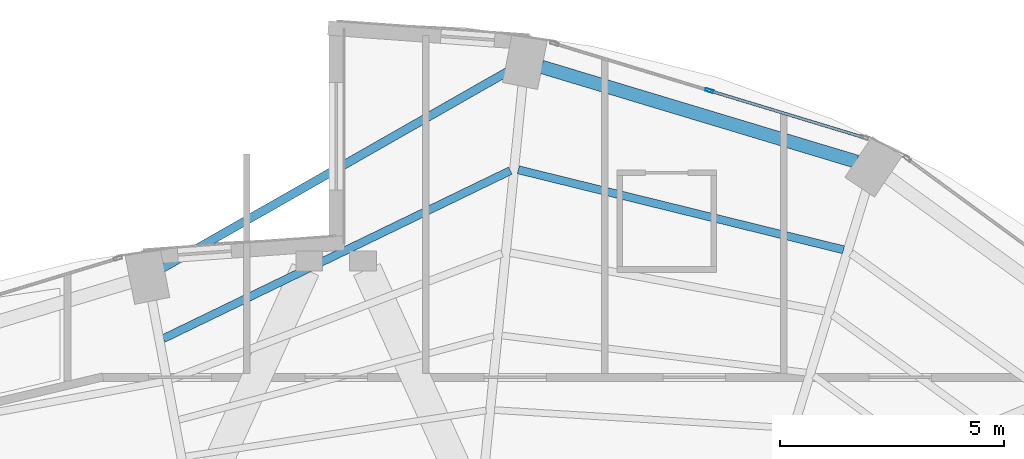
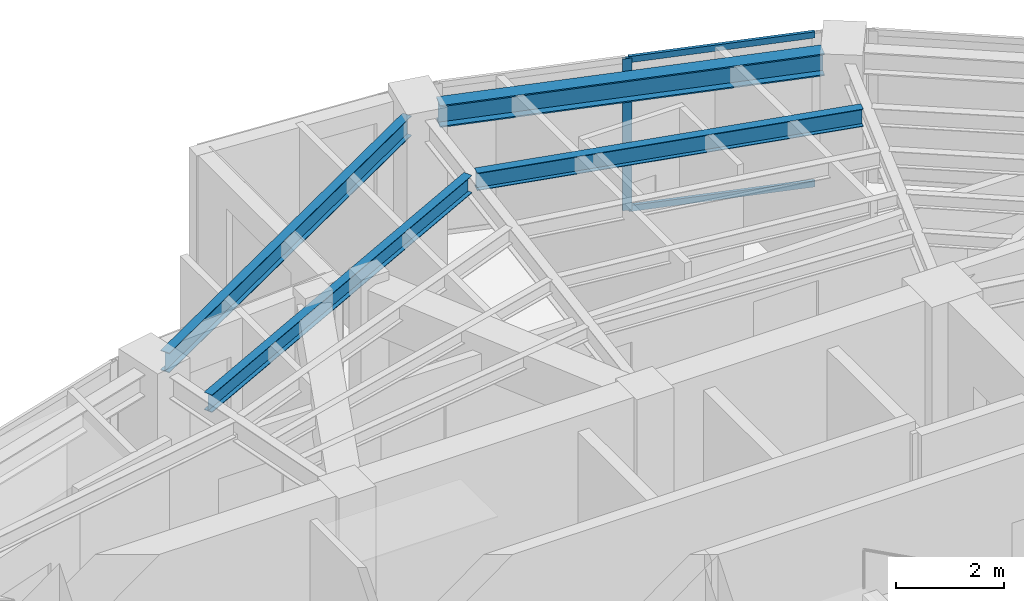
# One storey, part 16 of 23: 4 beams, 3 members, 1 element without a shape of its own.
"""IFC4 building model written with IfcOpenShell, lengths in metres."""

from ifc_helpers import new_model, si_unit, direction, frame, origin, origin_2d, place, context, subcontext, project, spatial, hollow_rectangle, i_section, extrude, material, layer, layer_set, material_profile, profile_set, type_object, element, aggregate, save


model = new_model("IFC4")

# Units and contexts
model_context = context("Model", 3, precision=1e-05, world=origin(), true_north=direction((0.0, 1.0)))
body_context = subcontext(model_context, "Body", "Model", "MODEL_VIEW")
ifc_project = project(units=[si_unit("LENGTHUNIT", "METRE"), si_unit("AREAUNIT", "SQUARE_METRE"), si_unit("VOLUMEUNIT", "CUBIC_METRE"), si_unit("PLANEANGLEUNIT", "RADIAN"), si_unit("MASSUNIT", "GRAM", prefix="KILO")], contexts=[model_context])

# Site, building, storey
site_placement = place(None, origin())
site = spatial("IfcSite", under=ifc_project, at=site_placement, CompositionType="ELEMENT")
building_placement = place(site_placement, origin())
building = spatial("IfcBuilding", under=site, at=building_placement, Name="Lazwardi Medical Tower", CompositionType="ELEMENT")
storey_placement = place(building_placement, frame((0.0, 0.0, 202.1279296875)))
storey = spatial("IfcBuildingStorey", under=building, at=storey_placement, Name="L52", CompositionType="ELEMENT", Elevation=202.1279296875)

# Beams
ifc_material_1 = material(Name="Steel S355", Category="steel")
ifc_material_profile_1 = material_profile(ifc_material_1, i_section(OverallWidth=0.300048828125, OverallDepth=0.5, WebThickness=0.014404296875, FlangeThickness=0.028076171875, at=origin_2d()), Name="HEB 500")
ifc_profile_set_1 = profile_set([ifc_material_profile_1], Name="Steel S355")
beam_type_1 = type_object("IfcBeamType", Name="BM-RB-Z4", PredefinedType="BEAM", material=ifc_profile_set_1)
beam_1_placement = place(storey_placement, frame((47.626953125, 43.56640625, 3.197998046875), z_axis=(-0.957544311906, 0.288286126506, 0.0), x_axis=(-0.288286126506, -0.957544311906, 0.0)))
element("IfcBeam", 1, at=beam_1_placement, inside=storey, type_object=beam_type_1, Name="Ring beam RB-05 B07 L52", PredefinedType="BEAM", context=body_context, shape_type="SweptSolid", body=[
    extrude(i_section(OverallWidth=0.300048828125, OverallDepth=0.5, WebThickness=0.014404296875, FlangeThickness=0.028076171875, at=origin_2d()), origin(), (0.0, 0.0, 1.0), 7.3515625),
])
ifc_material_profile_2 = material_profile(ifc_material_1, i_section(OverallWidth=0.179931640625, OverallDepth=0.39990234375, WebThickness=0.008544921875, FlangeThickness=0.013427734375, at=origin_2d()), Name="IPE 400")
ifc_profile_set_2 = profile_set([ifc_material_profile_2], Name="Steel S355")
beam_type_2 = type_object("IfcBeamType", Name="BM-SJ-01", PredefinedType="JOIST", material=ifc_profile_set_2)
beam_2_placement = place(storey_placement, frame((47.334228515625, 41.59912109375, 3.248046875), z_axis=(-0.971041669317, 0.238910184904, 0.0), x_axis=(-0.238910184904, -0.971041669317, 0.0)))
element("IfcBeam", 2, at=beam_2_placement, inside=storey, type_object=beam_type_2, Name="Secondary joist SJ-01 R1 B07 L52", PredefinedType="JOIST", context=body_context, shape_type="SweptSolid", body=[
    extrude(i_section(OverallWidth=0.179931640625, OverallDepth=0.39990234375, WebThickness=0.008544921875, FlangeThickness=0.013427734375, at=origin_2d()), origin(), (0.0, 0.0, 1.0), 7.482421875),
])
beam_3_placement = place(storey_placement, frame((39.89111328125, 43.367919921875, 3.248046875), z_axis=(-0.900068885459, -0.435747635024, 0.0), x_axis=(0.435747635024, -0.900068885459, 0.0)))
element("IfcBeam", 3, at=beam_3_placement, inside=storey, type_object=beam_type_2, Name="Secondary joist SJ-01 R1 B08 L52", PredefinedType="JOIST", context=body_context, shape_type="SweptSolid", body=[
    extrude(i_section(OverallWidth=0.179931640625, OverallDepth=0.39990234375, WebThickness=0.008544921875, FlangeThickness=0.013427734375, at=origin_2d()), origin(), (0.0, 0.0, 1.0), 8.612548828125),
])
ifc_material_profile_3 = material_profile(ifc_material_1, i_section(OverallWidth=0.18994140625, OverallDepth=0.449951171875, WebThickness=0.009521484375, FlangeThickness=0.0146484375, at=origin_2d()), Name="IPE 450")
ifc_profile_set_3 = profile_set([ifc_material_profile_3], Name="Steel S355")
beam_type_3 = type_object("IfcBeamType", Name="BM-SP-01", PredefinedType="SPANDREL", material=ifc_profile_set_3)
beam_4_placement = place(storey_placement, frame((39.875, 45.605224609375, 3.22314453125), z_axis=(-0.868954808466, -0.494891443494, 0.0), x_axis=(0.494891443494, -0.868954808466, 0.0)))
element("IfcBeam", 4, at=beam_4_placement, inside=storey, type_object=beam_type_3, Name="Spandrel beam SP-01 B08 L52", PredefinedType="SPANDREL", context=body_context, shape_type="SweptSolid", body=[
    extrude(i_section(OverallWidth=0.18994140625, OverallDepth=0.449951171875, WebThickness=0.009521484375, FlangeThickness=0.0146484375, at=origin_2d()), origin(), (0.0, 0.0, 1.0), 8.918701171875),
])

# Curtain wall, members
ifc_material_2 = material(Name="Anodised bronze aluminium and solar control glazing", Category="aluminium")
ifc_layer = layer(ifc_material_2, 0.18994140625)
ifc_layer_set = layer_set([ifc_layer], Name="Anodised bronze aluminium and solar control glazing")
curtain_wall_type = type_object("IfcCurtainWallType", Name="CW-SYS-04", PredefinedType="NOTDEFINED", material=ifc_layer_set)
curtain_wall_placement = place(storey_placement, origin())
curtain_wall = element("IfcCurtainWall", 5, at=curtain_wall_placement, inside=storey, type_object=curtain_wall_type, Name="L52 Unitised bronze curtain wall CW-04", PredefinedType="NOTDEFINED")
ifc_material_3 = material(Name="Anodised bronze aluminium", Category="aluminium")
ifc_material_profile_4 = material_profile(ifc_material_3, hollow_rectangle(XDim=0.06494140625, YDim=0.179931640625, WallThickness=0.00390625, at=origin_2d()), Name="ALU-MULLION 180x65x4")
ifc_profile_set_4 = profile_set([ifc_material_profile_4], Name="Anodised bronze aluminium")
member_type_1 = type_object("IfcMemberType", Name="CW-MUL-03", PredefinedType="MULLION", material=ifc_profile_set_4)
member_1_placement = place(storey_placement, frame((44.33642578125, 45.1552734375, 0.0), z_axis=(0.0, 0.0, 1.0), x_axis=(-0.290581889515, -0.956850126972, 0.0)))
member_1 = element("IfcMember", 6, at=member_1_placement, type_object=member_type_1, Name="CW-04 mullion 2", PredefinedType="MULLION", context=body_context, shape_type="SweptSolid", body=[
    extrude(hollow_rectangle(XDim=0.06494140625, YDim=0.179931640625, WallThickness=0.00390625, at=origin_2d()), origin(), (0.0, 0.0, 1.0), 3.447998046875),
])
ifc_material_profile_5 = material_profile(ifc_material_3, hollow_rectangle(XDim=0.06494140625, YDim=0.139892578125, WallThickness=0.00341796875, at=origin_2d()), Name="ALU-TRANSOM 140x65x3.5")
ifc_profile_set_5 = profile_set([ifc_material_profile_5], Name="Anodised bronze aluminium")
member_type_2 = type_object("IfcMemberType", Name="CW-TRN-03", PredefinedType="USERDEFINED", material=ifc_profile_set_5)
member_2_placement = place(storey_placement, frame((47.7685546875, 44.113037109375, 0.032470703125), z_axis=(-0.956862505902, 0.290541124109, 0.0), x_axis=(-0.290541124109, -0.956862505902, 0.0)))
member_2 = element("IfcMember", 7, at=member_2_placement, type_object=member_type_2, Name="CW-04 transom 1.1", ObjectType="TRANSOM", PredefinedType="USERDEFINED", context=body_context, shape_type="SweptSolid", body=[
    extrude(hollow_rectangle(XDim=0.06494140625, YDim=0.139892578125, WallThickness=0.00341796875, at=origin_2d()), origin(), (0.0, 0.0, 1.0), 3.554443359375),
])
member_3_placement = place(storey_placement, frame((47.7685546875, 44.113037109375, 3.41552734375), z_axis=(-0.956862505902, 0.290541124109, 0.0), x_axis=(-0.290541124109, -0.956862505902, 0.0)))
member_3 = element("IfcMember", 8, at=member_3_placement, type_object=member_type_2, Name="CW-04 transom 1.2", ObjectType="TRANSOM", PredefinedType="USERDEFINED", context=body_context, shape_type="SweptSolid", body=[
    extrude(hollow_rectangle(XDim=0.06494140625, YDim=0.139892578125, WallThickness=0.00341796875, at=origin_2d()), origin(), (0.0, 0.0, 1.0), 3.554443359375),
])
aggregate(curtain_wall, [member_1, member_2, member_3])

save(model, "model.ifc")
